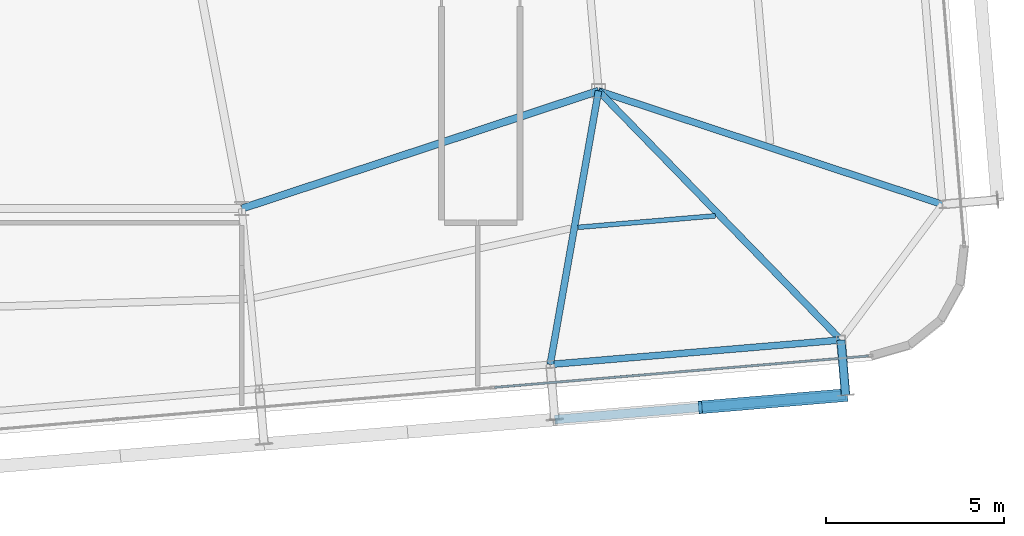
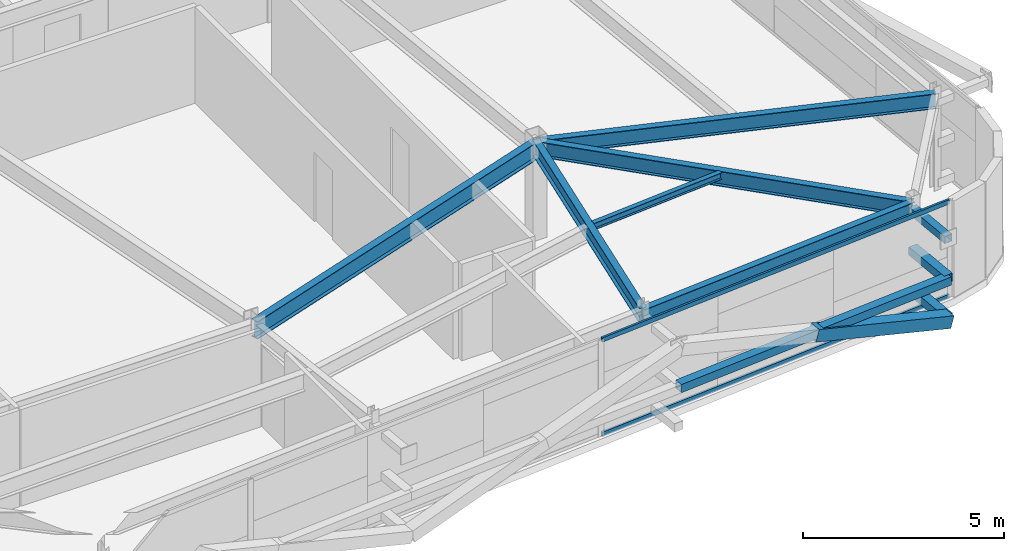
# One storey, part 17 of 37: 7 members, 6 beams, 1 element without a shape of its own.
"""IFC4 building model written with IfcOpenShell, lengths in metres."""

from ifc_helpers import new_model, si_unit, direction, frame, origin, origin_2d, place, context, subcontext, project, spatial, hollow_rectangle, i_section, extrude, source, transform, mapped, material, layer, layer_set, material_profile, profile_set, type_object, element, aggregate, save


model = new_model("IFC4")

# Units and contexts
model_context = context("Model", 3, precision=1e-05, world=origin(), true_north=direction((0.0, 1.0)))
body_context = subcontext(model_context, "Body", "Model", "MODEL_VIEW")
ifc_project = project(units=[si_unit("LENGTHUNIT", "METRE"), si_unit("AREAUNIT", "SQUARE_METRE"), si_unit("VOLUMEUNIT", "CUBIC_METRE"), si_unit("PLANEANGLEUNIT", "RADIAN"), si_unit("MASSUNIT", "GRAM", prefix="KILO")], contexts=[model_context])

# Site, building, storey
site_placement = place(None, origin())
site = spatial("IfcSite", under=ifc_project, at=site_placement, CompositionType="ELEMENT")
building_placement = place(site_placement, origin())
building = spatial("IfcBuilding", under=site, at=building_placement, Name="Taldren Reach Tower", CompositionType="ELEMENT")
storey_placement = place(building_placement, frame((0.0, 0.0, 200.89990234375)))
storey = spatial("IfcBuildingStorey", under=building, at=storey_placement, Name="L61", CompositionType="ELEMENT", Elevation=200.89990234375)

# Beam
ifc_material_1 = material(Name="Steel Gr 350 (350PLUS)", Category="steel")
ifc_material_profile_1 = material_profile(ifc_material_1, i_section(OverallWidth=0.208984375, OverallDepth=0.532958984375, WebThickness=0.01025390625, FlangeThickness=0.015625, at=origin_2d()), Name="530UB92.4")
ifc_profile_set_1 = profile_set([ifc_material_profile_1], Name="Steel Gr 350 (350PLUS)")
beam_type_1 = type_object("IfcBeamType", Name="BM-UB530A", PredefinedType="BEAM", material=ifc_profile_set_1)
shared_shape_1 = source(origin(), body_context, "Body", "SweptSolid", [
    extrude(i_section(OverallWidth=0.208984375, OverallDepth=0.532958984375, WebThickness=0.01025390625, FlangeThickness=0.015625, at=origin_2d()), origin(), (0.0, 0.0, 1.0), 10.530517578125),
])
beam_1_placement = place(storey_placement, frame((42.0, 9.199951171875, 2.66357421875), z_axis=(0.949627269203, 0.313381635689, 0.0), x_axis=(-0.313381635689, 0.949627269203, 0.0)))
element("IfcBeam", 1, at=beam_1_placement, inside=storey, type_object=beam_type_1, Name="Core-spine girder L61-SP12", PredefinedType="BEAM", context=body_context, shape_type="MappedRepresentation", body=[
    mapped(shared_shape_1, transform((0.0, 0.0, 0.0), scale=1.0)),
])

# Members
ifc_material_2 = material(Name="Steel Gr 350 (C350L0)", Category="steel")
ifc_material_profile_2 = material_profile(ifc_material_2, hollow_rectangle(XDim=0.25, YDim=0.25, WallThickness=0.010009765625, at=origin_2d()), Name="250x250x10.0SHS")
ifc_profile_set_2 = profile_set([ifc_material_profile_2], Name="Steel Gr 350 (C350L0)")
member_type_1 = type_object("IfcMemberType", Name="MB-POST250", PredefinedType="POST", material=ifc_profile_set_2)
shared_shape_2 = source(origin(), body_context, "Body", "SweptSolid", [
    extrude(hollow_rectangle(XDim=0.25, YDim=0.25, WallThickness=0.010009765625, at=origin_2d()), origin(), (0.0, 0.0, 1.0), 1.5498046875),
])
for number, where, z_axis, x_axis, name in (
    (2, (58.796142578125, 5.516357421875, 0.22021484375), (0.083801560254, -0.996482462715, 0.0), (0.996482462715, 0.083801560254, 0.0), "Exoskeleton base diaphragm tie strut B4-S6 L61"),
    (3, (58.796142578125, 5.516357421875, 1.43505859375), (0.083801560254, -0.996482462715, 0.0), (0.996482462715, 0.083801560254, 0.0), "Exoskeleton mid-tier diaphragm tie B4-S6 L61"),
):
    element("IfcMember", number, at=place(storey_placement, frame(where, z_axis=z_axis, x_axis=x_axis)), inside=storey, type_object=member_type_1, Name=name, PredefinedType="POST", context=body_context, shape_type="MappedRepresentation", body=[
        mapped(shared_shape_2, transform((0.0, 0.0, 0.0), scale=1.0)),
    ])

# Beams
ifc_material_profile_3 = material_profile(ifc_material_1, i_section(OverallWidth=0.18994140625, OverallDepth=0.4541015625, WebThickness=0.008544921875, FlangeThickness=0.0126953125, at=origin_2d()), Name="460UB67.1")
ifc_profile_set_3 = profile_set([ifc_material_profile_3], Name="Steel Gr 350 (350PLUS)")
beam_type_2 = type_object("IfcBeamType", Name="SP-UB460B", PredefinedType="SPANDREL", material=ifc_profile_set_3)
shared_shape_3 = source(origin(), body_context, "Body", "SweptSolid", [
    extrude(i_section(OverallWidth=0.18994140625, OverallDepth=0.4541015625, WebThickness=0.008544921875, FlangeThickness=0.0126953125, at=origin_2d()), origin(), (0.0, 0.0, 1.0), 8.179931640625),
])
beam_2_placement = place(storey_placement, frame((50.644775390625, 4.83203125, 2.703125), z_axis=(0.996494523218, 0.083658025296, 0.0), x_axis=(-0.083658025296, 0.996494523218, 0.0)))
element("IfcBeam", 4, at=beam_2_placement, inside=storey, type_object=beam_type_2, Name="Perimeter spandrel B4 S5-S6 L61", PredefinedType="SPANDREL", context=body_context, shape_type="MappedRepresentation", body=[
    mapped(shared_shape_3, transform((0.0, 0.0, 0.0), scale=1.0)),
])
ifc_material_profile_4 = material_profile(ifc_material_1, i_section(OverallWidth=0.19091796875, OverallDepth=0.4599609375, WebThickness=0.010009765625, FlangeThickness=0.01611328125, at=origin_2d()), Name="460UB82.1")
ifc_profile_set_4 = profile_set([ifc_material_profile_4], Name="Steel Gr 350 (350PLUS)")
beam_type_3 = type_object("IfcBeamType", Name="BM-UB460A", PredefinedType="BEAM", material=ifc_profile_set_4)
shared_shape_4 = source(origin(), body_context, "Body", "SweptSolid", [
    extrude(i_section(OverallWidth=0.19091796875, OverallDepth=0.4599609375, WebThickness=0.010009765625, FlangeThickness=0.01611328125, at=origin_2d()), origin(), (0.0, 0.0, 1.0), 7.786865234375),
])
beam_3_placement = place(storey_placement, frame((52.0, 12.5, 2.7001953125), z_axis=(-0.174041097858, -0.984738389755, 0.0), x_axis=(0.984738389755, -0.174041097858, 0.0)))
element("IfcBeam", 5, at=beam_3_placement, inside=storey, type_object=beam_type_3, Name="Primary floor girder B4-S5 L61", PredefinedType="BEAM", context=body_context, shape_type="MappedRepresentation", body=[
    mapped(shared_shape_4, transform((0.0, 0.0, 0.0), scale=1.0)),
])
shared_shape_5 = source(origin(), body_context, "Body", "SweptSolid", [
    extrude(i_section(OverallWidth=0.19091796875, OverallDepth=0.4599609375, WebThickness=0.010009765625, FlangeThickness=0.01611328125, at=origin_2d()), origin(), (0.0, 0.0, 1.0), 9.74462890625),
])
beam_4_placement = place(storey_placement, frame((52.0, 12.5, 2.7001953125), z_axis=(0.697420698235, -0.716661963323, 0.0), x_axis=(0.716661963323, 0.697420698235, 0.0)))
element("IfcBeam", 6, at=beam_4_placement, inside=storey, type_object=beam_type_3, Name="Primary floor girder B4-S6 L61", PredefinedType="BEAM", context=body_context, shape_type="MappedRepresentation", body=[
    mapped(shared_shape_5, transform((0.0, 0.0, 0.0), scale=1.0)),
])
shared_shape_6 = source(origin(), body_context, "Body", "SweptSolid", [
    extrude(i_section(OverallWidth=0.19091796875, OverallDepth=0.4599609375, WebThickness=0.010009765625, FlangeThickness=0.01611328125, at=origin_2d()), origin(), (0.0, 0.0, 1.0), 10.14990234375),
])
beam_5_placement = place(storey_placement, frame((52.0, 12.5, 2.7001953125), z_axis=(0.949576668396, -0.313534927619, 0.0), x_axis=(0.313534927619, 0.949576668396, 0.0)))
element("IfcBeam", 7, at=beam_5_placement, inside=storey, type_object=beam_type_3, Name="Primary floor girder B4-E1 L61", PredefinedType="BEAM", context=body_context, shape_type="MappedRepresentation", body=[
    mapped(shared_shape_6, transform((0.0, 0.0, 0.0), scale=1.0)),
])
ifc_material_3 = material(Name="Steel Gr 300 (300PLUS, 300 MPa)", Category="steel")
ifc_material_profile_5 = material_profile(ifc_material_3, i_section(OverallWidth=0.134033203125, OverallDepth=0.20703125, WebThickness=0.00634765625, FlangeThickness=0.009521484375, at=origin_2d()), Name="200UB29.8")
ifc_profile_set_5 = profile_set([ifc_material_profile_5], Name="Steel Gr 300 (300PLUS, 300 MPa)")
beam_type_4 = type_object("IfcBeamType", Name="JS-UB200", PredefinedType="JOIST", material=ifc_profile_set_5)
shared_shape_7 = source(origin(), body_context, "Body", "SweptSolid", [
    extrude(i_section(OverallWidth=0.134033203125, OverallDepth=0.20703125, WebThickness=0.00634765625, FlangeThickness=0.009521484375, at=origin_2d()), origin(), (0.0, 0.0, 1.0), 3.86767578125),
])
beam_6_placement = place(storey_placement, frame((51.4208984375, 8.67431640625, 2.82666015625), z_axis=(0.996495950743, 0.083641019557, 0.0), x_axis=(-0.083641019557, 0.996495950743, 0.0)))
element("IfcBeam", 8, at=beam_6_placement, inside=storey, type_object=beam_type_4, Name="Secondary floor joist B4 J5 L61", PredefinedType="JOIST", context=body_context, shape_type="MappedRepresentation", body=[
    mapped(shared_shape_7, transform((0.0, 0.0, 0.0), scale=1.0)),
])

# Members
ifc_material_4 = material(Name="Steel Gr 450 (C450L0)", Category="steel")
ifc_material_profile_6 = material_profile(ifc_material_4, hollow_rectangle(XDim=0.219970703125, YDim=0.219970703125, WallThickness=0.00830078125, at=origin_2d()), Name="220x220x8.2SHS")
ifc_profile_set_6 = profile_set([ifc_material_profile_6], Name="Steel Gr 450 (C450L0)")
member_type_2 = type_object("IfcMemberType", Name="MB-TIE219", PredefinedType="STRUT", material=ifc_profile_set_6)
shared_shape_8 = source(origin(), body_context, "Body", "SweptSolid", [
    extrude(hollow_rectangle(XDim=0.219970703125, YDim=0.219970703125, WallThickness=0.00830078125, at=origin_2d()), origin(), (0.0, 0.0, 1.0), 1.5498046875),
])
member_1_placement = place(storey_placement, frame((58.796142578125, 5.516357421875, 2.650146484375), z_axis=(0.083801560254, -0.996482462715, 0.0), x_axis=(0.996482462715, 0.083801560254, 0.0)))
element("IfcMember", 9, at=member_1_placement, inside=storey, type_object=member_type_2, Name="Exoskeleton diaphragm tie strut B4-S6 L61", PredefinedType="STRUT", context=body_context, shape_type="MappedRepresentation", body=[
    mapped(shared_shape_8, transform((0.0, 0.0, 0.0), scale=1.0)),
])
shared_shape_9 = source(origin(), body_context, "Body", "SweptSolid", [
    extrude(hollow_rectangle(XDim=0.25, YDim=0.25, WallThickness=0.010009765625, at=origin_2d()), origin(), (0.0, 0.0, 1.0), 8.18017578125),
])
member_2_placement = place(storey_placement, frame((50.774658203125, 3.287353515625, 1.43505859375), z_axis=(0.996492034688, 0.083687662192, 0.0), x_axis=(-0.083687662192, 0.996492034688, 0.0)))
element("IfcMember", 10, at=member_2_placement, inside=storey, type_object=member_type_1, Name="Exoskeleton mid-height ring chord B4-S5 L61", PredefinedType="POST", context=body_context, shape_type="MappedRepresentation", body=[
    mapped(shared_shape_9, transform((0.0, 0.0, 0.0), scale=1.0)),
])
ifc_material_profile_7 = material_profile(ifc_material_4, hollow_rectangle(XDim=0.360107421875, YDim=0.360107421875, WallThickness=0.0126953125, at=origin_2d()), Name="360x360x12.7SHS")
ifc_profile_set_7 = profile_set([ifc_material_profile_7], Name="Steel Gr 450 (C450L0)")
member_type_3 = type_object("IfcMemberType", Name="MB-EXO356", PredefinedType="BRACE", material=ifc_profile_set_7)
shared_shape_10 = source(origin(), body_context, "Body", "SweptSolid", [
    extrude(hollow_rectangle(XDim=0.360107421875, YDim=0.360107421875, WallThickness=0.0126953125, at=origin_2d()), origin(), (0.0, 0.0, 1.0), 4.2666015625),
])
member_3_placement = place(storey_placement, frame((58.926025390625, 3.971923828125, 0.22021484375), z_axis=(-0.955244723646, -0.080223619417, 0.284730906006), x_axis=(0.083687662192, -0.996492034688, 0.0)))
element("IfcMember", 11, at=member_3_placement, inside=storey, type_object=member_type_3, Name="Exoskeleton Diagrid Brace B4-S5 L61", PredefinedType="BRACE", context=body_context, shape_type="MappedRepresentation", body=[
    mapped(shared_shape_10, transform((0.0, 0.0, 0.0), scale=1.0)),
])

# Curtain wall, members
ifc_material_5 = material(Name="Aluminium and Low-E Glass Unitised System", Category="aluminium")
ifc_layer = layer(ifc_material_5, 0.159912109375)
ifc_layer_set = layer_set([ifc_layer], Name="Aluminium and Low-E Glass Unitised System")
curtain_wall_type = type_object("IfcCurtainWallType", Name="CW-SYS-5", PredefinedType="NOTDEFINED", material=ifc_layer_set)
curtain_wall_placement = place(storey_placement, origin())
curtain_wall = element("IfcCurtainWall", 12, at=curtain_wall_placement, inside=storey, type_object=curtain_wall_type, Name="Unitised curtain wall CW-L61-S", PredefinedType="NOTDEFINED")
ifc_material_6 = material(Name="Anodised Aluminium 6063-T6", Category="aluminium")
ifc_material_profile_8 = material_profile(ifc_material_6, hollow_rectangle(XDim=0.06005859375, YDim=0.135009765625, WallThickness=0.00341796875, at=origin_2d()), Name="ALU-135x60x3.5RHS")
ifc_profile_set_8 = profile_set([ifc_material_profile_8], Name="Anodised Aluminium 6063-T6")
member_type_4 = type_object("IfcMemberType", Name="CW-TRN-150", PredefinedType="USERDEFINED", material=ifc_profile_set_8)
shared_shape_11 = source(origin(), body_context, "Body", "SweptSolid", [
    extrude(hollow_rectangle(XDim=0.06005859375, YDim=0.135009765625, WallThickness=0.00341796875, at=origin_2d()), origin(), (0.0, 0.0, 1.0), 10.52001953125),
])
member_4_placement = place(storey_placement, frame((49.083251953125, 4.18896484375, 0.030029296875), z_axis=(0.996492256575, 0.08368502008, 0.0), x_axis=(-0.08368502008, 0.996492256575, 0.0)))
member_4 = element("IfcMember", 13, at=member_4_placement, type_object=member_type_4, Name="CW-5 transom 4.1", ObjectType="TRANSOM", PredefinedType="USERDEFINED", context=body_context, shape_type="MappedRepresentation", body=[
    mapped(shared_shape_11, transform((0.0, 0.0, 0.0), scale=1.0)),
])
member_5_placement = place(storey_placement, frame((49.083251953125, 4.18896484375, 2.900146484375), z_axis=(0.996492256575, 0.08368502008, 0.0), x_axis=(-0.08368502008, 0.996492256575, 0.0)))
member_5 = element("IfcMember", 14, at=member_5_placement, type_object=member_type_4, Name="CW-5 transom 4.2", ObjectType="TRANSOM", PredefinedType="USERDEFINED", context=body_context, shape_type="MappedRepresentation", body=[
    mapped(shared_shape_11, transform((0.0, 0.0, 0.0), scale=1.0)),
])
aggregate(curtain_wall, [member_4, member_5])

save(model, "model.ifc")
